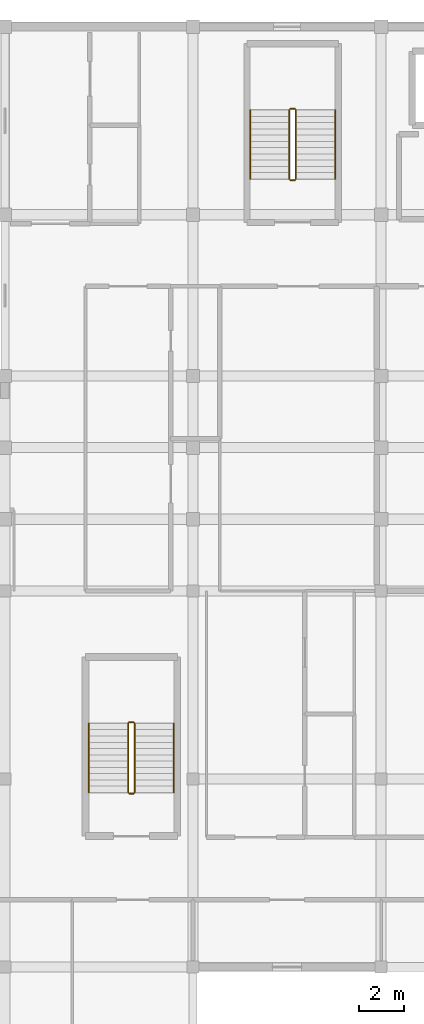
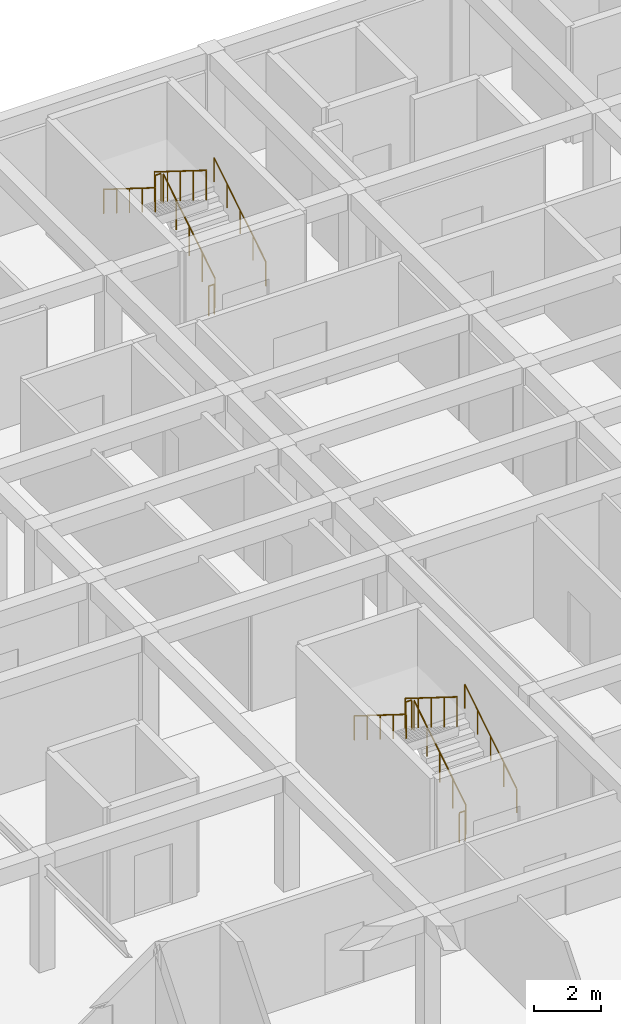
# One storey, part 36 of 42: 12 railings.
"""IFC4 building model written with IfcOpenShell, lengths in metres."""

from ifc_helpers import new_model, si_unit, direction, frame, origin, origin_2d, place, context, subcontext, project, spatial, circle, extrude, material, type_object, element, save


model = new_model("IFC4")

# Units and contexts
model_context = context("Model", 3, precision=1e-05, world=origin(), true_north=direction((0.0, 1.0)))
body_context = subcontext(model_context, "Body", "Model", "MODEL_VIEW")
ifc_project = project(units=[si_unit("LENGTHUNIT", "METRE"), si_unit("AREAUNIT", "SQUARE_METRE"), si_unit("VOLUMEUNIT", "CUBIC_METRE"), si_unit("PLANEANGLEUNIT", "RADIAN"), si_unit("MASSUNIT", "GRAM", prefix="KILO")], contexts=[model_context])

# Site, building, storey
site_placement = place(None, origin())
site = spatial("IfcSite", under=ifc_project, at=site_placement, CompositionType="ELEMENT")
building_placement = place(site_placement, origin())
building = spatial("IfcBuilding", under=site, at=building_placement, Name="Varncliffe General Hospital", CompositionType="ELEMENT")
storey_placement = place(building_placement, frame((0.0, 0.0, 20.39990234375)))
storey = spatial("IfcBuildingStorey", under=building, at=storey_placement, Name="L04", CompositionType="ELEMENT", Elevation=20.39990234375)

# Railings
ifc_material = material(Name="Powder-coated hospital steel guardrail and handrail", Category="steel")
railing_type_1 = type_object("IfcRailingType", Name="Stair and Ramp Handrail HR46", PredefinedType="HANDRAIL", material=ifc_material)
railing_1_placement = place(storey_placement, frame((123.949951171875, 118.0, 0.35400390625)))
element("IfcRailing", 1, at=railing_1_placement, inside=storey, type_object=railing_type_1, Name="L04 ST03 stair handrail 1", PredefinedType="HANDRAIL", context=body_context, shape_type="SweptSolid", body=[
    extrude(circle(Radius=0.02392578125, at=origin_2d()), frame((0.0, 0.0, 0.8759765625), z_axis=(0.0, 0.847998304005, 0.529998940003), x_axis=(-1.0, 0.0, 0.0)), (0.0, 0.0, 1.0), 3.632080078125),
    extrude(circle(Radius=0.02099609375, at=origin_2d()), origin(), (0.0, 0.0, 1.0), 0.851806640625),
    extrude(circle(Radius=0.02099609375, at=origin_2d()), frame((0.0, 0.77001953125, 0.481201171875)), (0.0, 0.0, 1.0), 0.851806640625),
    extrude(circle(Radius=0.02099609375, at=origin_2d()), frame((0.0, 1.5400390625, 0.96240234375)), (0.0, 0.0, 1.0), 0.851806640625),
    extrude(circle(Radius=0.02099609375, at=origin_2d()), frame((0.0, 2.31005859375, 1.44384765625)), (0.0, 0.0, 1.0), 0.851806640625),
    extrude(circle(Radius=0.02099609375, at=origin_2d()), frame((0.0, 3.080078125, 1.925048828125)), (0.0, 0.0, 1.0), 0.851806640625),
])
railing_2_placement = place(storey_placement, frame((120.14990234375, 121.080078125, 2.4541015625)))
element("IfcRailing", 2, at=railing_2_placement, inside=storey, type_object=railing_type_1, Name="L04 ST03 stair handrail 2", PredefinedType="HANDRAIL", context=body_context, shape_type="SweptSolid", body=[
    extrude(circle(Radius=0.02392578125, at=origin_2d()), frame((0.0, 0.0, 0.8759765625), z_axis=(0.0, -0.847998304005, 0.529998940003), x_axis=(1.0, 0.0, 0.0)), (0.0, 0.0, 1.0), 3.632080078125),
    extrude(circle(Radius=0.02099609375, at=origin_2d()), origin(), (0.0, 0.0, 1.0), 0.851806640625),
    extrude(circle(Radius=0.02099609375, at=origin_2d()), frame((0.0, -0.77001953125, 0.481201171875)), (0.0, 0.0, 1.0), 0.851806640625),
    extrude(circle(Radius=0.02099609375, at=origin_2d()), frame((0.0, -1.5400390625, 0.96240234375)), (0.0, 0.0, 1.0), 0.851806640625),
    extrude(circle(Radius=0.02099609375, at=origin_2d()), frame((0.0, -2.31005859375, 1.44384765625)), (0.0, 0.0, 1.0), 0.851806640625),
    extrude(circle(Radius=0.02099609375, at=origin_2d()), frame((0.0, -3.080078125, 1.925048828125)), (0.0, 0.0, 1.0), 0.851806640625),
])
railing_3_placement = place(storey_placement, frame((116.75, 90.60009765625, 0.35400390625)))
element("IfcRailing", 3, at=railing_3_placement, inside=storey, type_object=railing_type_1, Name="L04 ST06 stair handrail 1", PredefinedType="HANDRAIL", context=body_context, shape_type="SweptSolid", body=[
    extrude(circle(Radius=0.02392578125, at=origin_2d()), frame((0.0, 0.0, 0.8759765625), z_axis=(0.0, 0.847979421464, 0.530029150871), x_axis=(-1.0, 0.0, 0.0)), (0.0, 0.0, 1.0), 3.632080078125),
    extrude(circle(Radius=0.02099609375, at=origin_2d()), origin(), (0.0, 0.0, 1.0), 0.851806640625),
    extrude(circle(Radius=0.02099609375, at=origin_2d()), frame((0.0, 0.77001953125, 0.481201171875)), (0.0, 0.0, 1.0), 0.851806640625),
    extrude(circle(Radius=0.02099609375, at=origin_2d()), frame((0.0, 1.5400390625, 0.96240234375)), (0.0, 0.0, 1.0), 0.851806640625),
    extrude(circle(Radius=0.02099609375, at=origin_2d()), frame((0.0, 2.309814453125, 1.44384765625)), (0.0, 0.0, 1.0), 0.851806640625),
    extrude(circle(Radius=0.02099609375, at=origin_2d()), frame((0.0, 3.079833984375, 1.925048828125)), (0.0, 0.0, 1.0), 0.851806640625),
])
railing_4_placement = place(storey_placement, frame((112.949951171875, 93.679931640625, 2.4541015625)))
element("IfcRailing", 4, at=railing_4_placement, inside=storey, type_object=railing_type_1, Name="L04 ST06 stair handrail 2", PredefinedType="HANDRAIL", context=body_context, shape_type="SweptSolid", body=[
    extrude(circle(Radius=0.02392578125, at=origin_2d()), frame((0.0, 0.0, 0.8759765625), z_axis=(0.0, -0.847979421464, 0.530029150871), x_axis=(1.0, 0.0, 0.0)), (0.0, 0.0, 1.0), 3.632080078125),
    extrude(circle(Radius=0.02099609375, at=origin_2d()), origin(), (0.0, 0.0, 1.0), 0.851806640625),
    extrude(circle(Radius=0.02099609375, at=origin_2d()), frame((0.0, -0.77001953125, 0.481201171875)), (0.0, 0.0, 1.0), 0.851806640625),
    extrude(circle(Radius=0.02099609375, at=origin_2d()), frame((0.0, -1.5400390625, 0.96240234375)), (0.0, 0.0, 1.0), 0.851806640625),
    extrude(circle(Radius=0.02099609375, at=origin_2d()), frame((0.0, -2.309814453125, 1.44384765625)), (0.0, 0.0, 1.0), 0.851806640625),
    extrude(circle(Radius=0.02099609375, at=origin_2d()), frame((0.0, -3.079833984375, 1.925048828125)), (0.0, 0.0, 1.0), 0.851806640625),
])
railing_type_2 = type_object("IfcRailingType", Name="Stairwell Guardrail SG49", PredefinedType="GUARDRAIL", material=ifc_material)
railing_5_placement = place(storey_placement, frame((122.199951171875, 118.0, 0.175048828125)))
element("IfcRailing", 5, at=railing_5_placement, inside=storey, type_object=railing_type_2, Name="L04 ST03 stair guard 1", PredefinedType="GUARDRAIL", context=body_context, shape_type="SweptSolid", body=[
    extrude(circle(Radius=0.02392578125, at=origin_2d()), frame((0.0, 0.0, 1.076171875), z_axis=(0.0, 0.847998304005, 0.529998940003), x_axis=(-1.0, 0.0, 0.0)), (0.0, 0.0, 1.0), 3.632080078125),
    extrude(circle(Radius=0.02099609375, at=origin_2d()), origin(), (0.0, 0.0, 1.0), 1.052001953125),
    extrude(circle(Radius=0.02099609375, at=origin_2d()), frame((0.0, 0.77001953125, 0.481201171875)), (0.0, 0.0, 1.0), 1.052001953125),
    extrude(circle(Radius=0.02099609375, at=origin_2d()), frame((0.0, 1.5400390625, 0.96240234375)), (0.0, 0.0, 1.0), 1.052001953125),
    extrude(circle(Radius=0.02099609375, at=origin_2d()), frame((0.0, 2.31005859375, 1.44384765625)), (0.0, 0.0, 1.0), 1.052001953125),
    extrude(circle(Radius=0.02099609375, at=origin_2d()), frame((0.0, 3.080078125, 1.925048828125)), (0.0, 0.0, 1.0), 1.052001953125),
])
railing_6_placement = place(storey_placement, frame((122.14990234375, 121.1298828125, 2.10009765625)))
element("IfcRailing", 6, at=railing_6_placement, inside=storey, type_object=railing_type_2, Name="L04 ST03 stair guard 2", PredefinedType="GUARDRAIL", context=body_context, shape_type="SweptSolid", body=[
    extrude(circle(Radius=0.02392578125, at=origin_2d()), frame((0.0, 0.0, 1.076171875), z_axis=(-1.0, 0.0, 0.0), x_axis=(0.0, -1.0, 0.0)), (0.0, 0.0, 1.0), 0.199951171875),
    extrude(circle(Radius=0.02099609375, at=origin_2d()), origin(), (0.0, 0.0, 1.0), 1.052001953125),
    extrude(circle(Radius=0.02099609375, at=origin_2d()), frame((-0.199951171875, 0.0, 0.0)), (0.0, 0.0, 1.0), 1.052001953125),
])
railing_7_placement = place(storey_placement, frame((121.89990234375, 121.080078125, 2.275146484375)))
element("IfcRailing", 7, at=railing_7_placement, inside=storey, type_object=railing_type_2, Name="L04 ST03 stair guard 3", PredefinedType="GUARDRAIL", context=body_context, shape_type="SweptSolid", body=[
    extrude(circle(Radius=0.02392578125, at=origin_2d()), frame((0.0, 0.0, 1.076171875), z_axis=(0.0, -0.847998304005, 0.529998940003), x_axis=(1.0, 0.0, 0.0)), (0.0, 0.0, 1.0), 3.632080078125),
    extrude(circle(Radius=0.02099609375, at=origin_2d()), origin(), (0.0, 0.0, 1.0), 1.052001953125),
    extrude(circle(Radius=0.02099609375, at=origin_2d()), frame((0.0, -0.77001953125, 0.481201171875)), (0.0, 0.0, 1.0), 1.052001953125),
    extrude(circle(Radius=0.02099609375, at=origin_2d()), frame((0.0, -1.5400390625, 0.96240234375)), (0.0, 0.0, 1.0), 1.052001953125),
    extrude(circle(Radius=0.02099609375, at=origin_2d()), frame((0.0, -2.31005859375, 1.44384765625)), (0.0, 0.0, 1.0), 1.052001953125),
    extrude(circle(Radius=0.02099609375, at=origin_2d()), frame((0.0, -3.080078125, 1.925048828125)), (0.0, 0.0, 1.0), 1.052001953125),
])
railing_8_placement = place(storey_placement, frame((122.14990234375, 117.949951171875, 0.0)))
element("IfcRailing", 8, at=railing_8_placement, inside=storey, type_object=railing_type_2, Name="L04 ST03 stair guard 4", PredefinedType="GUARDRAIL", context=body_context, shape_type="SweptSolid", body=[
    extrude(circle(Radius=0.02392578125, at=origin_2d()), frame((0.0, 0.0, 1.076171875), z_axis=(-1.0, 0.0, 0.0), x_axis=(0.0, -1.0, 0.0)), (0.0, 0.0, 1.0), 0.199951171875),
    extrude(circle(Radius=0.02099609375, at=origin_2d()), origin(), (0.0, 0.0, 1.0), 1.052001953125),
    extrude(circle(Radius=0.02099609375, at=origin_2d()), frame((-0.199951171875, 0.0, 0.0)), (0.0, 0.0, 1.0), 1.052001953125),
])
railing_9_placement = place(storey_placement, frame((115.0, 90.60009765625, 0.175048828125)))
element("IfcRailing", 9, at=railing_9_placement, inside=storey, type_object=railing_type_2, Name="L04 ST06 stair guard 1", PredefinedType="GUARDRAIL", context=body_context, shape_type="SweptSolid", body=[
    extrude(circle(Radius=0.02392578125, at=origin_2d()), frame((0.0, 0.0, 1.076171875), z_axis=(0.0, 0.847979421464, 0.530029150871), x_axis=(-1.0, 0.0, 0.0)), (0.0, 0.0, 1.0), 3.632080078125),
    extrude(circle(Radius=0.02099609375, at=origin_2d()), origin(), (0.0, 0.0, 1.0), 1.052001953125),
    extrude(circle(Radius=0.02099609375, at=origin_2d()), frame((0.0, 0.77001953125, 0.481201171875)), (0.0, 0.0, 1.0), 1.052001953125),
    extrude(circle(Radius=0.02099609375, at=origin_2d()), frame((0.0, 1.5400390625, 0.96240234375)), (0.0, 0.0, 1.0), 1.052001953125),
    extrude(circle(Radius=0.02099609375, at=origin_2d()), frame((0.0, 2.309814453125, 1.44384765625)), (0.0, 0.0, 1.0), 1.052001953125),
    extrude(circle(Radius=0.02099609375, at=origin_2d()), frame((0.0, 3.079833984375, 1.925048828125)), (0.0, 0.0, 1.0), 1.052001953125),
])
railing_10_placement = place(storey_placement, frame((114.949951171875, 93.72998046875, 2.10009765625)))
element("IfcRailing", 10, at=railing_10_placement, inside=storey, type_object=railing_type_2, Name="L04 ST06 stair guard 2", PredefinedType="GUARDRAIL", context=body_context, shape_type="SweptSolid", body=[
    extrude(circle(Radius=0.02392578125, at=origin_2d()), frame((0.0, 0.0, 1.076171875), z_axis=(-1.0, 0.0, 0.0), x_axis=(0.0, -1.0, 0.0)), (0.0, 0.0, 1.0), 0.199951171875),
    extrude(circle(Radius=0.02099609375, at=origin_2d()), origin(), (0.0, 0.0, 1.0), 1.052001953125),
    extrude(circle(Radius=0.02099609375, at=origin_2d()), frame((-0.199951171875, 0.0, 0.0)), (0.0, 0.0, 1.0), 1.052001953125),
])
railing_11_placement = place(storey_placement, frame((114.699951171875, 93.679931640625, 2.275146484375)))
element("IfcRailing", 11, at=railing_11_placement, inside=storey, type_object=railing_type_2, Name="L04 ST06 stair guard 3", PredefinedType="GUARDRAIL", context=body_context, shape_type="SweptSolid", body=[
    extrude(circle(Radius=0.02392578125, at=origin_2d()), frame((0.0, 0.0, 1.076171875), z_axis=(0.0, -0.847979421464, 0.530029150871), x_axis=(1.0, 0.0, 0.0)), (0.0, 0.0, 1.0), 3.632080078125),
    extrude(circle(Radius=0.02099609375, at=origin_2d()), origin(), (0.0, 0.0, 1.0), 1.052001953125),
    extrude(circle(Radius=0.02099609375, at=origin_2d()), frame((0.0, -0.77001953125, 0.481201171875)), (0.0, 0.0, 1.0), 1.052001953125),
    extrude(circle(Radius=0.02099609375, at=origin_2d()), frame((0.0, -1.5400390625, 0.96240234375)), (0.0, 0.0, 1.0), 1.052001953125),
    extrude(circle(Radius=0.02099609375, at=origin_2d()), frame((0.0, -2.309814453125, 1.44384765625)), (0.0, 0.0, 1.0), 1.052001953125),
    extrude(circle(Radius=0.02099609375, at=origin_2d()), frame((0.0, -3.079833984375, 1.925048828125)), (0.0, 0.0, 1.0), 1.052001953125),
])
railing_12_placement = place(storey_placement, frame((114.949951171875, 90.550048828125, 0.0)))
element("IfcRailing", 12, at=railing_12_placement, inside=storey, type_object=railing_type_2, Name="L04 ST06 stair guard 4", PredefinedType="GUARDRAIL", context=body_context, shape_type="SweptSolid", body=[
    extrude(circle(Radius=0.02392578125, at=origin_2d()), frame((0.0, 0.0, 1.076171875), z_axis=(-1.0, 0.0, 0.0), x_axis=(0.0, -1.0, 0.0)), (0.0, 0.0, 1.0), 0.199951171875),
    extrude(circle(Radius=0.02099609375, at=origin_2d()), origin(), (0.0, 0.0, 1.0), 1.052001953125),
    extrude(circle(Radius=0.02099609375, at=origin_2d()), frame((-0.199951171875, 0.0, 0.0)), (0.0, 0.0, 1.0), 1.052001953125),
])

save(model, "model.ifc")
